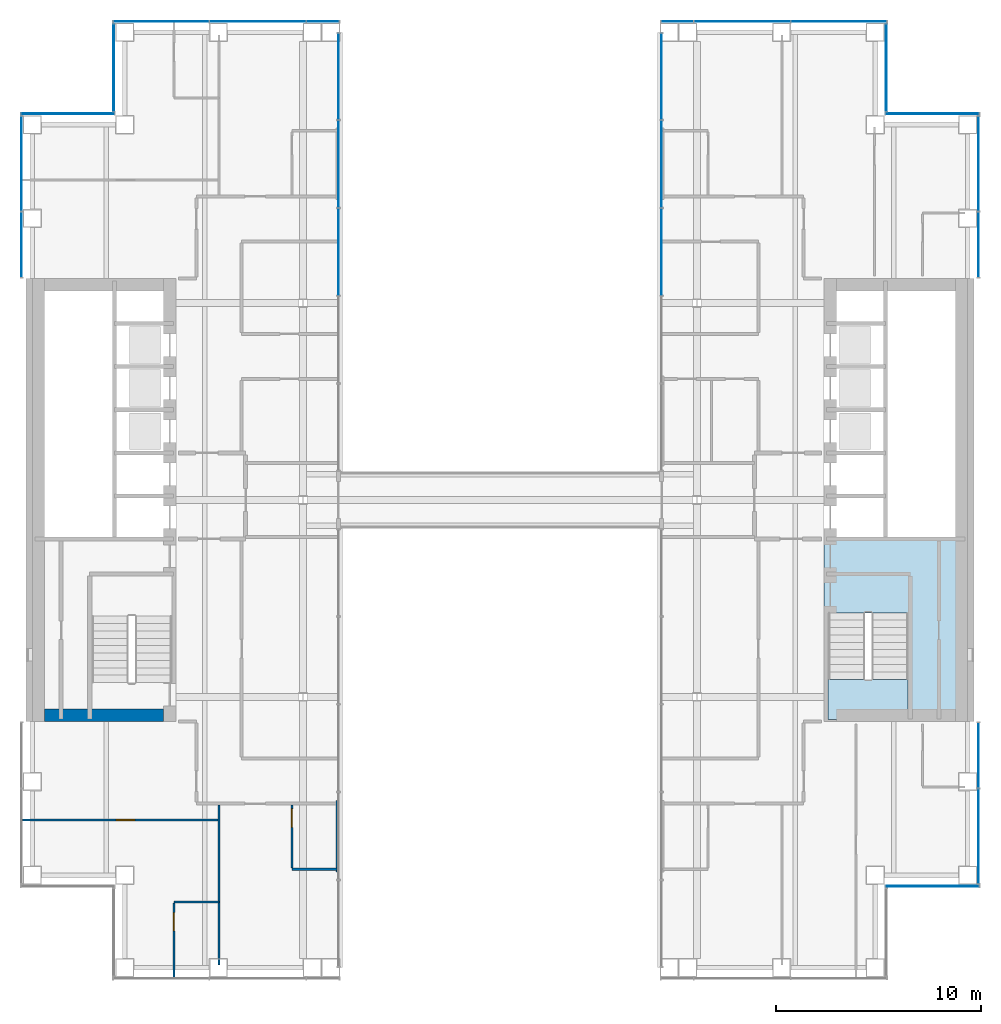
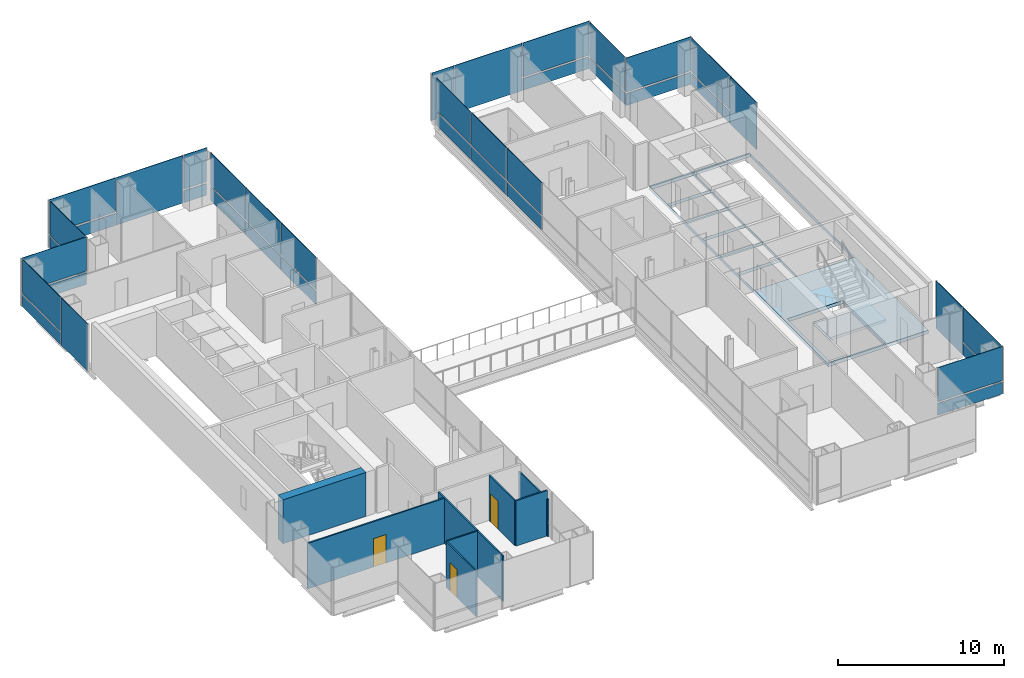
# One storey, part 10 of 16: 40 plates, 8 walls, 3 doors, 2 slabs, 3 openings, 13 elements without a shape of their own.
"""IFC4 building model written with IfcOpenShell, lengths in metres."""

from ifc_helpers import new_model, si_unit, direction, frame, frame_2d, origin, origin_2d, place, context, subcontext, project, spatial, polyline, rectangle, outline, extrude, material, layer, layer_set, type_object, element, fill, aggregate, save


model = new_model("IFC4")

# Units and contexts
model_context = context("Model", 3, precision=1e-05, world=origin(), true_north=direction((0.0, 1.0)))
body_context = subcontext(model_context, "Body", "Model", "MODEL_VIEW")
ifc_project = project(units=[si_unit("LENGTHUNIT", "METRE"), si_unit("AREAUNIT", "SQUARE_METRE"), si_unit("VOLUMEUNIT", "CUBIC_METRE"), si_unit("PLANEANGLEUNIT", "RADIAN"), si_unit("MASSUNIT", "GRAM", prefix="KILO")], contexts=[model_context])

# Site, building, storey
site_placement = place(None, origin())
site = spatial("IfcSite", under=ifc_project, at=site_placement, CompositionType="ELEMENT")
building_placement = place(site_placement, origin())
building = spatial("IfcBuilding", under=site, at=building_placement, Name="Cobrizo Arcos Hotel Tower", CompositionType="ELEMENT")
storey_placement = place(building_placement, frame((0.0, 0.0, 127.5)))
storey = spatial("IfcBuildingStorey", under=building, at=storey_placement, Name="L32", CompositionType="ELEMENT", Elevation=127.5)

# Curtain wall, plate
ifc_material_1 = material(Name="Aluminium 6063-T6 anodised bronze", Category="aluminium")
curtain_wall_type_1 = type_object("IfcCurtainWallType", Name="CW-A guest facade", PredefinedType="NOTDEFINED", material=ifc_material_1)
curtain_wall_1_placement = place(storey_placement, origin())
curtain_wall_1 = element("IfcCurtainWall", 1, at=curtain_wall_1_placement, inside=storey, type_object=curtain_wall_type_1, Name="CW-A L32 S face", PredefinedType="NOTDEFINED")
ifc_material_2 = material(Name="Glass clear laminated low-e", Category="glass")
ifc_layer_1 = layer(ifc_material_2, 0.0400390625)
ifc_layer_set_1 = layer_set([ifc_layer_1], Name="CW-A glass panel")
plate_type_1 = type_object("IfcPlateType", Name="CW-A glass panel", PredefinedType="CURTAIN_PANEL", material=ifc_layer_set_1)
plate_1_placement = place(storey_placement, frame((21.074951171875, -18.824951171875, 0.990234375), z_axis=(0.0, 0.0, 1.0), x_axis=(1.0, 0.0, 0.0)))
plate_1 = element("IfcPlate", 2, at=plate_1_placement, type_object=plate_type_1, Name="CW-A glass panel 1198", PredefinedType="CURTAIN_PANEL", context=body_context, shape_type="SweptSolid", body=[
    extrude(rectangle(XDim=4.530029296875, YDim=0.0400390625, at=origin_2d()), origin(), (0.0, 0.0, 1.0), 2.510009765625),
])

curtain_wall_2_placement = place(storey_placement, origin())
curtain_wall_2 = element("IfcCurtainWall", 3, at=curtain_wall_2_placement, inside=storey, type_object=curtain_wall_type_1, Name="CW-A L32 E face", PredefinedType="NOTDEFINED")
plate_2_placement = place(storey_placement, frame((23.324951171875, -16.391357421875, 0.990234375), z_axis=(0.0, 0.0, 1.0), x_axis=(0.0, 1.0, 0.0)))
plate_2 = element("IfcPlate", 4, at=plate_2_placement, type_object=plate_type_1, Name="CW-A glass panel 1199", PredefinedType="CURTAIN_PANEL", context=body_context, shape_type="SweptSolid", body=[
    extrude(rectangle(XDim=4.597412109375, YDim=0.0400390625, at=origin_2d()), origin(), (0.0, 0.0, 1.0), 2.510009765625),
])

curtain_wall_3_placement = place(storey_placement, origin())
curtain_wall_3 = element("IfcCurtainWall", 5, at=curtain_wall_3_placement, inside=storey, type_object=curtain_wall_type_1, Name="CW-A L32 E face", PredefinedType="NOTDEFINED")
plate_3_placement = place(storey_placement, frame((23.324951171875, 16.391357421875, 0.990234375), z_axis=(0.0, 0.0, 1.0), x_axis=(0.0, 1.0, 0.0)))
plate_3 = element("IfcPlate", 6, at=plate_3_placement, type_object=plate_type_1, Name="CW-A glass panel 1202", PredefinedType="CURTAIN_PANEL", context=body_context, shape_type="SweptSolid", body=[
    extrude(rectangle(XDim=4.597412109375, YDim=0.0400390625, at=origin_2d()), origin(), (0.0, 0.0, 1.0), 2.510009765625),
])

curtain_wall_4_placement = place(storey_placement, origin())
curtain_wall_4 = element("IfcCurtainWall", 7, at=curtain_wall_4_placement, inside=storey, type_object=curtain_wall_type_1, Name="CW-A L32 N face", PredefinedType="NOTDEFINED")
plate_4_placement = place(storey_placement, frame((21.074951171875, 18.824951171875, 0.990234375), z_axis=(0.0, 0.0, 1.0), x_axis=(-1.0, 0.0, 0.0)))
plate_4 = element("IfcPlate", 8, at=plate_4_placement, type_object=plate_type_1, Name="CW-A glass panel 1203", PredefinedType="CURTAIN_PANEL", context=body_context, shape_type="SweptSolid", body=[
    extrude(rectangle(XDim=4.530029296875, YDim=0.0400390625, at=origin_2d()), origin(), (0.0, 0.0, 1.0), 2.510009765625),
])

curtain_wall_5_placement = place(storey_placement, origin())
curtain_wall_5 = element("IfcCurtainWall", 9, at=curtain_wall_5_placement, inside=storey, type_object=curtain_wall_type_1, Name="CW-A L32 E face", PredefinedType="NOTDEFINED")
plate_5_placement = place(storey_placement, frame((18.824951171875, 21.074951171875, 0.990234375), z_axis=(0.0, 0.0, 1.0), x_axis=(0.0, 1.0, 0.0)))
plate_5 = element("IfcPlate", 10, at=plate_5_placement, type_object=plate_type_1, Name="CW-A glass panel 1204", PredefinedType="CURTAIN_PANEL", context=body_context, shape_type="SweptSolid", body=[
    extrude(rectangle(XDim=4.22998046875, YDim=0.0400390625, at=origin_2d()), origin(), (0.0, 0.0, 1.0), 2.510009765625),
])

curtain_wall_6_placement = place(storey_placement, origin())
curtain_wall_6 = element("IfcCurtainWall", 11, at=curtain_wall_6_placement, inside=storey, type_object=curtain_wall_type_1, Name="CW-A L32 N face", PredefinedType="NOTDEFINED")
plate_6_placement = place(storey_placement, frame((16.5224609375, 23.324951171875, 0.990234375), z_axis=(0.0, 0.0, 1.0), x_axis=(-1.0, 0.0, 0.0)))
plate_6 = element("IfcPlate", 12, at=plate_6_placement, type_object=plate_type_1, Name="CW-A glass panel 1205", PredefinedType="CURTAIN_PANEL", context=body_context, shape_type="SweptSolid", body=[
    extrude(rectangle(XDim=4.635009765625, YDim=0.0400390625, at=origin_2d()), origin(), (0.0, 0.0, 1.0), 2.510009765625),
])

# Curtain wall, plates
curtain_wall_7_placement = place(storey_placement, origin())
curtain_wall_7 = element("IfcCurtainWall", 13, at=curtain_wall_7_placement, inside=storey, type_object=curtain_wall_type_1, Name="CW-A L32 N face", PredefinedType="NOTDEFINED")
plate_7_placement = place(storey_placement, frame((-8.639892578125, 23.324951171875, 0.990234375), z_axis=(0.0, 0.0, 1.0), x_axis=(-1.0, 0.0, 0.0)))
plate_7 = element("IfcPlate", 14, at=plate_7_placement, type_object=plate_type_1, Name="CW-A glass panel 1208", PredefinedType="CURTAIN_PANEL", context=body_context, shape_type="SweptSolid", body=[
    extrude(rectangle(XDim=1.56005859375, YDim=0.0400390625, at=origin_2d()), origin(), (0.0, 0.0, 1.0), 2.510009765625),
])
plate_8_placement = place(storey_placement, frame((-16.5224609375, 23.324951171875, 0.990234375), z_axis=(0.0, 0.0, 1.0), x_axis=(-1.0, 0.0, 0.0)))
plate_8 = element("IfcPlate", 15, at=plate_8_placement, type_object=plate_type_1, Name="CW-A glass panel 1210", PredefinedType="CURTAIN_PANEL", context=body_context, shape_type="SweptSolid", body=[
    extrude(rectangle(XDim=4.635009765625, YDim=0.0400390625, at=origin_2d()), origin(), (0.0, 0.0, 1.0), 2.510009765625),
])

# Curtain wall, plate
curtain_wall_8_placement = place(storey_placement, origin())
curtain_wall_8 = element("IfcCurtainWall", 16, at=curtain_wall_8_placement, inside=storey, type_object=curtain_wall_type_1, Name="CW-A L32 W face", PredefinedType="NOTDEFINED")
plate_9_placement = place(storey_placement, frame((-18.824951171875, 21.074951171875, 0.990234375), z_axis=(0.0, 0.0, 1.0), x_axis=(0.0, -1.0, 0.0)))
plate_9 = element("IfcPlate", 17, at=plate_9_placement, type_object=plate_type_1, Name="CW-A glass panel 1211", PredefinedType="CURTAIN_PANEL", context=body_context, shape_type="SweptSolid", body=[
    extrude(rectangle(XDim=4.22998046875, YDim=0.0400390625, at=origin_2d()), origin(), (0.0, 0.0, 1.0), 2.510009765625),
])

curtain_wall_9_placement = place(storey_placement, origin())
curtain_wall_9 = element("IfcCurtainWall", 18, at=curtain_wall_9_placement, inside=storey, type_object=curtain_wall_type_1, Name="CW-A L32 N face", PredefinedType="NOTDEFINED")
plate_10_placement = place(storey_placement, frame((-21.074951171875, 18.824951171875, 0.990234375), z_axis=(0.0, 0.0, 1.0), x_axis=(-1.0, 0.0, 0.0)))
plate_10 = element("IfcPlate", 19, at=plate_10_placement, type_object=plate_type_1, Name="CW-A glass panel 1212", PredefinedType="CURTAIN_PANEL", context=body_context, shape_type="SweptSolid", body=[
    extrude(rectangle(XDim=4.530029296875, YDim=0.0400390625, at=origin_2d()), origin(), (0.0, 0.0, 1.0), 2.510009765625),
])

curtain_wall_10_placement = place(storey_placement, origin())
curtain_wall_10 = element("IfcCurtainWall", 20, at=curtain_wall_10_placement, inside=storey, type_object=curtain_wall_type_1, Name="CW-A L32 W face", PredefinedType="NOTDEFINED")
plate_11_placement = place(storey_placement, frame((-23.324951171875, 16.391357421875, 0.990234375), z_axis=(0.0, 0.0, 1.0), x_axis=(0.0, -1.0, 0.0)))
plate_11 = element("IfcPlate", 21, at=plate_11_placement, type_object=plate_type_1, Name="CW-A glass panel 1213", PredefinedType="CURTAIN_PANEL", context=body_context, shape_type="SweptSolid", body=[
    extrude(rectangle(XDim=4.597412109375, YDim=0.0400390625, at=origin_2d()), origin(), (0.0, 0.0, 1.0), 2.510009765625),
])

# Plate
ifc_material_3 = material(Name="Aluminium composite panel pale metal", Category="aluminium")
ifc_layer_2 = layer(ifc_material_3, 0.0400390625)
ifc_layer_set_2 = layer_set([ifc_layer_2], Name="CW-A spandrel panel")
plate_type_2 = type_object("IfcPlateType", Name="CW-A spandrel panel", PredefinedType="CURTAIN_PANEL", material=ifc_layer_set_2)
plate_12_placement = place(storey_placement, frame((21.074951171875, -18.824951171875, 0.0), z_axis=(0.0, 0.0, 1.0), x_axis=(1.0, 0.0, 0.0)))
plate_12 = element("IfcPlate", 22, at=plate_12_placement, type_object=plate_type_2, Name="CW-A spandrel panel 1198", PredefinedType="CURTAIN_PANEL", context=body_context, shape_type="SweptSolid", body=[
    extrude(rectangle(XDim=4.530029296875, YDim=0.0400390625, at=origin_2d()), origin(), (0.0, 0.0, 1.0), 0.8701171875),
])

aggregate(curtain_wall_1, [plate_12, plate_1])

plate_13_placement = place(storey_placement, frame((23.324951171875, -16.391357421875, 0.0), z_axis=(0.0, 0.0, 1.0), x_axis=(0.0, 1.0, 0.0)))
plate_13 = element("IfcPlate", 23, at=plate_13_placement, type_object=plate_type_2, Name="CW-A spandrel panel 1199", PredefinedType="CURTAIN_PANEL", context=body_context, shape_type="SweptSolid", body=[
    extrude(rectangle(XDim=4.597412109375, YDim=0.0400390625, at=origin_2d()), origin(), (0.0, 0.0, 1.0), 0.8701171875),
])

plate_14_placement = place(storey_placement, frame((23.324951171875, -12.4462890625, 0.0), z_axis=(0.0, 0.0, 1.0), x_axis=(0.0, 1.0, 0.0)))
plate_14 = element("IfcPlate", 24, at=plate_14_placement, type_object=plate_type_2, Name="CW-A spandrel panel 1200", PredefinedType="CURTAIN_PANEL", context=body_context, shape_type="SweptSolid", body=[
    extrude(rectangle(XDim=3.172607421875, YDim=0.0400390625, at=origin_2d()), origin(), (0.0, 0.0, 1.0), 3.5),
])

aggregate(curtain_wall_2, [plate_13, plate_2, plate_14])

plate_15_placement = place(storey_placement, frame((23.324951171875, 12.4462890625, 0.0), z_axis=(0.0, 0.0, 1.0), x_axis=(0.0, 1.0, 0.0)))
plate_15 = element("IfcPlate", 25, at=plate_15_placement, type_object=plate_type_2, Name="CW-A spandrel panel 1201", PredefinedType="CURTAIN_PANEL", context=body_context, shape_type="SweptSolid", body=[
    extrude(rectangle(XDim=3.172607421875, YDim=0.0400390625, at=origin_2d()), origin(), (0.0, 0.0, 1.0), 3.5),
])

plate_16_placement = place(storey_placement, frame((23.324951171875, 16.391357421875, 0.0), z_axis=(0.0, 0.0, 1.0), x_axis=(0.0, 1.0, 0.0)))
plate_16 = element("IfcPlate", 26, at=plate_16_placement, type_object=plate_type_2, Name="CW-A spandrel panel 1202", PredefinedType="CURTAIN_PANEL", context=body_context, shape_type="SweptSolid", body=[
    extrude(rectangle(XDim=4.597412109375, YDim=0.0400390625, at=origin_2d()), origin(), (0.0, 0.0, 1.0), 0.8701171875),
])

aggregate(curtain_wall_3, [plate_15, plate_16, plate_3])

plate_17_placement = place(storey_placement, frame((21.074951171875, 18.824951171875, 0.0), z_axis=(0.0, 0.0, 1.0), x_axis=(-1.0, 0.0, 0.0)))
plate_17 = element("IfcPlate", 27, at=plate_17_placement, type_object=plate_type_2, Name="CW-A spandrel panel 1203", PredefinedType="CURTAIN_PANEL", context=body_context, shape_type="SweptSolid", body=[
    extrude(rectangle(XDim=4.530029296875, YDim=0.0400390625, at=origin_2d()), origin(), (0.0, 0.0, 1.0), 0.8701171875),
])

aggregate(curtain_wall_4, [plate_17, plate_4])

plate_18_placement = place(storey_placement, frame((18.824951171875, 21.074951171875, 0.0), z_axis=(0.0, 0.0, 1.0), x_axis=(0.0, 1.0, 0.0)))
plate_18 = element("IfcPlate", 28, at=plate_18_placement, type_object=plate_type_2, Name="CW-A spandrel panel 1204", PredefinedType="CURTAIN_PANEL", context=body_context, shape_type="SweptSolid", body=[
    extrude(rectangle(XDim=4.22998046875, YDim=0.0400390625, at=origin_2d()), origin(), (0.0, 0.0, 1.0), 0.8701171875),
])

aggregate(curtain_wall_5, [plate_18, plate_5])

plate_19_placement = place(storey_placement, frame((16.5224609375, 23.324951171875, 0.0), z_axis=(0.0, 0.0, 1.0), x_axis=(-1.0, 0.0, 0.0)))
plate_19 = element("IfcPlate", 29, at=plate_19_placement, type_object=plate_type_2, Name="CW-A spandrel panel 1205", PredefinedType="CURTAIN_PANEL", context=body_context, shape_type="SweptSolid", body=[
    extrude(rectangle(XDim=4.635009765625, YDim=0.0400390625, at=origin_2d()), origin(), (0.0, 0.0, 1.0), 0.8701171875),
])

plate_20_placement = place(storey_placement, frame((11.8125, 23.324951171875, 0.0), z_axis=(0.0, 0.0, 1.0), x_axis=(-1.0, 0.0, 0.0)))
plate_20 = element("IfcPlate", 30, at=plate_20_placement, type_object=plate_type_2, Name="CW-A spandrel panel 1206", PredefinedType="CURTAIN_PANEL", context=body_context, shape_type="SweptSolid", body=[
    extrude(rectangle(XDim=4.6650390625, YDim=0.0400390625, at=origin_2d()), origin(), (0.0, 0.0, 1.0), 3.5),
])

plate_21_placement = place(storey_placement, frame((8.639892578125, 23.324951171875, 0.0), z_axis=(0.0, 0.0, 1.0), x_axis=(-1.0, 0.0, 0.0)))
plate_21 = element("IfcPlate", 31, at=plate_21_placement, type_object=plate_type_2, Name="CW-A spandrel panel 1207", PredefinedType="CURTAIN_PANEL", context=body_context, shape_type="SweptSolid", body=[
    extrude(rectangle(XDim=1.56005859375, YDim=0.0400390625, at=origin_2d()), origin(), (0.0, 0.0, 1.0), 3.5),
])

aggregate(curtain_wall_6, [plate_19, plate_6, plate_20, plate_21])

plate_22_placement = place(storey_placement, frame((-8.639892578125, 23.324951171875, 0.0), z_axis=(0.0, 0.0, 1.0), x_axis=(-1.0, 0.0, 0.0)))
plate_22 = element("IfcPlate", 32, at=plate_22_placement, type_object=plate_type_2, Name="CW-A spandrel panel 1208", PredefinedType="CURTAIN_PANEL", context=body_context, shape_type="SweptSolid", body=[
    extrude(rectangle(XDim=1.56005859375, YDim=0.0400390625, at=origin_2d()), origin(), (0.0, 0.0, 1.0), 0.8701171875),
])

plate_23_placement = place(storey_placement, frame((-11.8125, 23.324951171875, 0.0), z_axis=(0.0, 0.0, 1.0), x_axis=(-1.0, 0.0, 0.0)))
plate_23 = element("IfcPlate", 33, at=plate_23_placement, type_object=plate_type_2, Name="CW-A spandrel panel 1209", PredefinedType="CURTAIN_PANEL", context=body_context, shape_type="SweptSolid", body=[
    extrude(rectangle(XDim=4.6650390625, YDim=0.0400390625, at=origin_2d()), origin(), (0.0, 0.0, 1.0), 3.5),
])

plate_24_placement = place(storey_placement, frame((-16.5224609375, 23.324951171875, 0.0), z_axis=(0.0, 0.0, 1.0), x_axis=(-1.0, 0.0, 0.0)))
plate_24 = element("IfcPlate", 34, at=plate_24_placement, type_object=plate_type_2, Name="CW-A spandrel panel 1210", PredefinedType="CURTAIN_PANEL", context=body_context, shape_type="SweptSolid", body=[
    extrude(rectangle(XDim=4.635009765625, YDim=0.0400390625, at=origin_2d()), origin(), (0.0, 0.0, 1.0), 0.8701171875),
])

aggregate(curtain_wall_7, [plate_22, plate_7, plate_23, plate_24, plate_8])

plate_25_placement = place(storey_placement, frame((-18.824951171875, 21.074951171875, 0.0), z_axis=(0.0, 0.0, 1.0), x_axis=(0.0, -1.0, 0.0)))
plate_25 = element("IfcPlate", 35, at=plate_25_placement, type_object=plate_type_2, Name="CW-A spandrel panel 1211", PredefinedType="CURTAIN_PANEL", context=body_context, shape_type="SweptSolid", body=[
    extrude(rectangle(XDim=4.22998046875, YDim=0.0400390625, at=origin_2d()), origin(), (0.0, 0.0, 1.0), 0.8701171875),
])

aggregate(curtain_wall_8, [plate_25, plate_9])

plate_26_placement = place(storey_placement, frame((-21.074951171875, 18.824951171875, 0.0), z_axis=(0.0, 0.0, 1.0), x_axis=(-1.0, 0.0, 0.0)))
plate_26 = element("IfcPlate", 36, at=plate_26_placement, type_object=plate_type_2, Name="CW-A spandrel panel 1212", PredefinedType="CURTAIN_PANEL", context=body_context, shape_type="SweptSolid", body=[
    extrude(rectangle(XDim=4.530029296875, YDim=0.0400390625, at=origin_2d()), origin(), (0.0, 0.0, 1.0), 0.8701171875),
])

aggregate(curtain_wall_9, [plate_26, plate_10])

plate_27_placement = place(storey_placement, frame((-23.324951171875, 16.391357421875, 0.0), z_axis=(0.0, 0.0, 1.0), x_axis=(0.0, -1.0, 0.0)))
plate_27 = element("IfcPlate", 37, at=plate_27_placement, type_object=plate_type_2, Name="CW-A spandrel panel 1213", PredefinedType="CURTAIN_PANEL", context=body_context, shape_type="SweptSolid", body=[
    extrude(rectangle(XDim=4.597412109375, YDim=0.0400390625, at=origin_2d()), origin(), (0.0, 0.0, 1.0), 0.8701171875),
])

plate_28_placement = place(storey_placement, frame((-23.324951171875, 12.4462890625, 0.0), z_axis=(0.0, 0.0, 1.0), x_axis=(0.0, -1.0, 0.0)))
plate_28 = element("IfcPlate", 38, at=plate_28_placement, type_object=plate_type_2, Name="CW-A spandrel panel 1214", PredefinedType="CURTAIN_PANEL", context=body_context, shape_type="SweptSolid", body=[
    extrude(rectangle(XDim=3.172607421875, YDim=0.0400390625, at=origin_2d()), origin(), (0.0, 0.0, 1.0), 3.5),
])

aggregate(curtain_wall_10, [plate_27, plate_11, plate_28])

# Curtain wall, plates
curtain_wall_type_2 = type_object("IfcCurtainWallType", Name="CW-F void screen", PredefinedType="NOTDEFINED", material=ifc_material_1)
curtain_wall_11_placement = place(storey_placement, origin())
curtain_wall_11 = element("IfcCurtainWall", 39, at=curtain_wall_11_placement, inside=storey, type_object=curtain_wall_type_2, Name="CW-F L32 void screen B", PredefinedType="NOTDEFINED")
ifc_layer_3 = layer(ifc_material_2, 0.0400390625)
ifc_layer_set_3 = layer_set([ifc_layer_3], Name="CW-F glass panel")
plate_type_3 = type_object("IfcPlateType", Name="CW-F glass panel", PredefinedType="CURTAIN_PANEL", material=ifc_layer_set_3)
plate_29_placement = place(storey_placement, frame((7.875, 12.10009765625, 0.0), z_axis=(0.0, 0.0, 1.0), x_axis=(0.0, 1.0, 0.0)))
plate_29 = element("IfcPlate", 40, at=plate_29_placement, type_object=plate_type_3, Name="CW-F glass panel 2633", PredefinedType="CURTAIN_PANEL", context=body_context, shape_type="SweptSolid", body=[
    extrude(rectangle(XDim=4.219970703125, YDim=0.0400390625, at=origin_2d()), origin(), (0.0, 0.0, 1.0), 0.989990234375),
])
plate_30_placement = place(storey_placement, frame((7.875, 12.10009765625, 1.10986328125), z_axis=(0.0, 0.0, 1.0), x_axis=(0.0, 1.0, 0.0)))
plate_30 = element("IfcPlate", 41, at=plate_30_placement, type_object=plate_type_3, Name="CW-F glass panel 2633", PredefinedType="CURTAIN_PANEL", context=body_context, shape_type="SweptSolid", body=[
    extrude(rectangle(XDim=4.219970703125, YDim=0.0400390625, at=origin_2d()), origin(), (0.0, 0.0, 1.0), 2.389892578125),
])
plate_31_placement = place(storey_placement, frame((7.875, 16.3798828125, 0.0), z_axis=(0.0, 0.0, 1.0), x_axis=(0.0, 1.0, 0.0)))
plate_31 = element("IfcPlate", 42, at=plate_31_placement, type_object=plate_type_3, Name="CW-F glass panel 2634", PredefinedType="CURTAIN_PANEL", context=body_context, shape_type="SweptSolid", body=[
    extrude(rectangle(XDim=4.219970703125, YDim=0.0400390625, at=origin_2d()), origin(), (0.0, 0.0, 1.0), 0.989990234375),
])
plate_32_placement = place(storey_placement, frame((7.875, 16.3798828125, 1.10986328125), z_axis=(0.0, 0.0, 1.0), x_axis=(0.0, 1.0, 0.0)))
plate_32 = element("IfcPlate", 43, at=plate_32_placement, type_object=plate_type_3, Name="CW-F glass panel 2634", PredefinedType="CURTAIN_PANEL", context=body_context, shape_type="SweptSolid", body=[
    extrude(rectangle(XDim=4.219970703125, YDim=0.0400390625, at=origin_2d()), origin(), (0.0, 0.0, 1.0), 2.389892578125),
])
plate_33_placement = place(storey_placement, frame((7.875, 20.64501953125, 0.0), z_axis=(0.0, 0.0, 1.0), x_axis=(0.0, 1.0, 0.0)))
plate_33 = element("IfcPlate", 44, at=plate_33_placement, type_object=plate_type_3, Name="CW-F glass panel 2635", PredefinedType="CURTAIN_PANEL", context=body_context, shape_type="SweptSolid", body=[
    extrude(rectangle(XDim=4.18994140625, YDim=0.0400390625, at=origin_2d()), origin(), (0.0, 0.0, 1.0), 0.989990234375),
])
plate_34_placement = place(storey_placement, frame((7.875, 20.64501953125, 1.10986328125), z_axis=(0.0, 0.0, 1.0), x_axis=(0.0, 1.0, 0.0)))
plate_34 = element("IfcPlate", 45, at=plate_34_placement, type_object=plate_type_3, Name="CW-F glass panel 2635", PredefinedType="CURTAIN_PANEL", context=body_context, shape_type="SweptSolid", body=[
    extrude(rectangle(XDim=4.18994140625, YDim=0.0400390625, at=origin_2d()), origin(), (0.0, 0.0, 1.0), 2.389892578125),
])
aggregate(curtain_wall_11, [plate_29, plate_30, plate_31, plate_32, plate_33, plate_34])

curtain_wall_12_placement = place(storey_placement, origin())
curtain_wall_12 = element("IfcCurtainWall", 46, at=curtain_wall_12_placement, inside=storey, type_object=curtain_wall_type_2, Name="CW-F L32 void screen B", PredefinedType="NOTDEFINED")
plate_35_placement = place(storey_placement, frame((-7.875, 20.64501953125, 0.0), z_axis=(0.0, 0.0, 1.0), x_axis=(0.0, -1.0, 0.0)))
plate_35 = element("IfcPlate", 47, at=plate_35_placement, type_object=plate_type_3, Name="CW-F glass panel 2636", PredefinedType="CURTAIN_PANEL", context=body_context, shape_type="SweptSolid", body=[
    extrude(rectangle(XDim=4.18994140625, YDim=0.0400390625, at=origin_2d()), origin(), (0.0, 0.0, 1.0), 0.989990234375),
])
plate_36_placement = place(storey_placement, frame((-7.875, 20.64501953125, 1.10986328125), z_axis=(0.0, 0.0, 1.0), x_axis=(0.0, -1.0, 0.0)))
plate_36 = element("IfcPlate", 48, at=plate_36_placement, type_object=plate_type_3, Name="CW-F glass panel 2636", PredefinedType="CURTAIN_PANEL", context=body_context, shape_type="SweptSolid", body=[
    extrude(rectangle(XDim=4.18994140625, YDim=0.0400390625, at=origin_2d()), origin(), (0.0, 0.0, 1.0), 2.389892578125),
])
plate_37_placement = place(storey_placement, frame((-7.875, 16.3798828125, 0.0), z_axis=(0.0, 0.0, 1.0), x_axis=(0.0, -1.0, 0.0)))
plate_37 = element("IfcPlate", 49, at=plate_37_placement, type_object=plate_type_3, Name="CW-F glass panel 2637", PredefinedType="CURTAIN_PANEL", context=body_context, shape_type="SweptSolid", body=[
    extrude(rectangle(XDim=4.219970703125, YDim=0.0400390625, at=origin_2d()), origin(), (0.0, 0.0, 1.0), 0.989990234375),
])
plate_38_placement = place(storey_placement, frame((-7.875, 16.3798828125, 1.10986328125), z_axis=(0.0, 0.0, 1.0), x_axis=(0.0, -1.0, 0.0)))
plate_38 = element("IfcPlate", 50, at=plate_38_placement, type_object=plate_type_3, Name="CW-F glass panel 2637", PredefinedType="CURTAIN_PANEL", context=body_context, shape_type="SweptSolid", body=[
    extrude(rectangle(XDim=4.219970703125, YDim=0.0400390625, at=origin_2d()), origin(), (0.0, 0.0, 1.0), 2.389892578125),
])
plate_39_placement = place(storey_placement, frame((-7.875, 12.10009765625, 0.0), z_axis=(0.0, 0.0, 1.0), x_axis=(0.0, -1.0, 0.0)))
plate_39 = element("IfcPlate", 51, at=plate_39_placement, type_object=plate_type_3, Name="CW-F glass panel 2638", PredefinedType="CURTAIN_PANEL", context=body_context, shape_type="SweptSolid", body=[
    extrude(rectangle(XDim=4.219970703125, YDim=0.0400390625, at=origin_2d()), origin(), (0.0, 0.0, 1.0), 0.989990234375),
])
plate_40_placement = place(storey_placement, frame((-7.875, 12.10009765625, 1.10986328125), z_axis=(0.0, 0.0, 1.0), x_axis=(0.0, -1.0, 0.0)))
plate_40 = element("IfcPlate", 52, at=plate_40_placement, type_object=plate_type_3, Name="CW-F glass panel 2638", PredefinedType="CURTAIN_PANEL", context=body_context, shape_type="SweptSolid", body=[
    extrude(rectangle(XDim=4.219970703125, YDim=0.0400390625, at=origin_2d()), origin(), (0.0, 0.0, 1.0), 2.389892578125),
])
aggregate(curtain_wall_12, [plate_35, plate_36, plate_37, plate_38, plate_39, plate_40])

# Slab
ifc_material_4 = material(Name="Concrete f'c 50 MPa", Category="concrete")
ifc_layer_4 = layer(ifc_material_4, 0.25)
ifc_layer_set_4 = layer_set([ifc_layer_4], Name="RC core floor slab 250 f'c 50")
slab_type_1 = type_object("IfcSlabType", Name="RC core floor slab 250 f'c 50", PredefinedType="FLOOR", material=ifc_layer_set_4)
slab_1_placement = place(storey_placement, frame((0.0, 0.0, -0.25)))
element("IfcSlab", 53, at=slab_1_placement, inside=storey, type_object=slab_type_1, Name="Core floor slab CS5, east core, L32", PredefinedType="FLOOR", context=body_context, shape_type="SweptSolid", body=[
    extrude(outline(polyline([(15.800048828125, 10.800048828125), (22.800048828125, 10.800048828125), (22.800048828125, -10.800048828125), (15.800048828125, -10.800048828125), (15.800048828125, 10.800048828125)]), holes=[polyline([(19.89794921875, -10.697998046875), (19.89794921875, -5.501953125), (16.001953125, -5.501953125), (16.001953125, -10.697998046875), (19.89794921875, -10.697998046875)]), polyline([(15.802001953125, 0.197998046875), (15.802001953125, -1.89794921875), (18.798095703125, -1.89794921875), (18.798095703125, 0.197998046875), (15.802001953125, 0.197998046875)]), polyline([(18.798095703125, 2.298095703125), (15.802001953125, 2.298095703125), (15.802001953125, 0.201904296875), (18.798095703125, 0.201904296875), (18.798095703125, 2.298095703125)]), polyline([(18.798095703125, 4.39794921875), (15.802001953125, 4.39794921875), (15.802001953125, 2.302001953125), (18.798095703125, 2.302001953125), (18.798095703125, 4.39794921875)]), polyline([(22.798095703125, 10.697998046875), (18.802001953125, 10.697998046875), (18.802001953125, -1.89794921875), (22.798095703125, -1.89794921875), (22.798095703125, 10.697998046875)]), polyline([(18.798095703125, 6.498046875), (15.802001953125, 6.498046875), (15.802001953125, 4.402099609375), (18.798095703125, 4.402099609375), (18.798095703125, 6.498046875)]), polyline([(18.798095703125, 8.597900390625), (15.802001953125, 8.597900390625), (15.802001953125, 6.501953125), (18.798095703125, 6.501953125), (18.798095703125, 8.597900390625)]), polyline([(18.798095703125, 10.697998046875), (15.802001953125, 10.697998046875), (15.802001953125, 8.60205078125), (18.798095703125, 8.60205078125), (18.798095703125, 10.697998046875)])]), origin(), (0.0, 0.0, 1.0), 0.25),
])

# Stair, slab
ifc_material_5 = material(Name="Concrete f'c 40 MPa", Category="concrete")
stair_type = type_object("IfcStairType", Name="Exit stair", PredefinedType="HALF_TURN_STAIR", material=ifc_material_5)
stair_placement = place(storey_placement, origin())
stair = element("IfcStair", 54, at=stair_placement, inside=storey, type_object=stair_type, Name="L32 Exit stair ST-E", PredefinedType="HALF_TURN_STAIR")
ifc_layer_5 = layer(ifc_material_5, 0.199951171875)
ifc_layer_set_5 = layer_set([ifc_layer_5], Name="Stair landing")
slab_type_2 = type_object("IfcSlabType", Name="Stair landing", PredefinedType="LANDING", material=ifc_layer_set_5)
slab_2_placement = place(storey_placement, frame((0.0, 0.0, 1.550048828125)))
slab_2 = element("IfcSlab", 55, at=slab_2_placement, type_object=slab_type_2, Name="ST-E landing 1", PredefinedType="LANDING", context=body_context, shape_type="SweptSolid", body=[
    extrude(outline(polyline([(16.0, -8.739990234375), (16.0, -10.699951171875), (19.89990234375, -10.699951171875), (19.89990234375, -8.739990234375), (16.0, -8.739990234375)])), origin(), (0.0, 0.0, 1.0), 0.199951171875),
])
aggregate(stair, [slab_2])

# Walls
ifc_material_6 = material(Name="Gypsum board partition")
ifc_layer_6 = layer(ifc_material_6, 0.10009765625)
ifc_layer_set_6 = layer_set([ifc_layer_6], Name="Partition EI 30 100")
wall_type_1 = type_object("IfcWallType", Name="Partition EI 30 100", PredefinedType="PARTITIONING", material=ifc_layer_set_6)
for number, where, z_axis, x_axis, name in (
    (56, (-15.89990234375, -19.60009765625, 0.0), (0.0, 0.0, 1.0), (1.0, 0.0, 0.0), "Partition 001"),
    (57, (-10.14990234375, -18.0, 0.0), (0.0, 0.0, 1.0), (1.0, 0.0, 0.0), "Partition 002"),
):
    element("IfcWall", number, at=place(storey_placement, frame(where, z_axis=z_axis, x_axis=x_axis)), inside=storey, type_object=wall_type_1, Name=name, PredefinedType="PARTITIONING", context=body_context, shape_type="SweptSolid", body=[
        extrude(rectangle(XDim=2.199951171875, YDim=0.10009765625, at=frame_2d((1.10009765625, 0.0))), origin(), (0.0, 0.0, 1.0), 3.35009765625),
    ])

# Wall, opening, door
wall_1_placement = place(storey_placement, frame((-23.280029296875, -15.60009765625, 0.0), z_axis=(0.0, 0.0, 1.0), x_axis=(1.0, 0.0, 0.0)))
wall_1 = element("IfcWall", 58, at=wall_1_placement, inside=storey, type_object=wall_type_1, Name="Partition 004", PredefinedType="PARTITIONING", context=body_context, shape_type="SweptSolid", body=[
    extrude(rectangle(XDim=9.580078125, YDim=0.10009765625, at=frame_2d((4.7900390625, 0.0))), origin(), (0.0, 0.0, 1.0), 3.35009765625),
])
opening_1_placement = place(wall_1_placement, frame((4.568115234375, 0.0, 0.0)))
opening_1 = element("IfcOpeningElement", 59, at=opening_1_placement, cuts=wall_1, Name="Opening RD-02", PredefinedType="OPENING", context=body_context, shape_type="SweptSolid", body=[
    extrude(rectangle(XDim=0.89990234375, YDim=2.10009765625, at=frame_2d((0.449951171875, 1.050048828125))), frame((0.0, 0.06201171875, 0.0), z_axis=(0.0, -1.0, 0.0), x_axis=(1.0, 0.0, 0.0)), (0.0, 0.0, 1.0), 0.1240234375),
])
ifc_material_7 = material(Name="Timber door leaf", Category="wood")
door_type_1 = type_object("IfcDoorType", Name="Room door FD30 900x2100", OperationType="SINGLE_SWING_LEFT", PredefinedType="DOOR", material=ifc_material_7)
door_1_placement = place(opening_1_placement, origin())
door_1 = element("IfcDoor", 60, at=door_1_placement, inside=storey, type_object=door_type_1, Name="Door RD-02", OperationType="SINGLE_SWING_RIGHT", OverallHeight=2.10009765625, OverallWidth=0.89990234375, PredefinedType="DOOR", context=body_context, shape_type="SweptSolid", body=[
    extrude(rectangle(XDim=0.89990234375, YDim=2.10009765625, at=frame_2d((0.449951171875, 1.050048828125))), frame((0.0, 0.02490234375, 0.0), z_axis=(0.0, -1.0, 0.0), x_axis=(1.0, 0.0, 0.0)), (0.0, 0.0, 1.0), 0.050048828125),
])
fill(opening_1, door_1)

wall_2_placement = place(storey_placement, frame((-15.89990234375, -23.280029296875, 0.0), z_axis=(0.0, 0.0, 1.0), x_axis=(0.0, 1.0, 0.0)))
wall_2 = element("IfcWall", 61, at=wall_2_placement, inside=storey, type_object=wall_type_1, Name="Partition 052", PredefinedType="PARTITIONING", context=body_context, shape_type="SweptSolid", body=[
    extrude(rectangle(XDim=3.630126953125, YDim=0.10009765625, at=frame_2d((1.81494140625, 0.0))), origin(), (0.0, 0.0, 1.0), 3.35009765625),
])
opening_2_placement = place(wall_2_placement, frame((2.27001953125, 0.0, 0.0)))
opening_2 = element("IfcOpeningElement", 62, at=opening_2_placement, cuts=wall_2, Name="Opening ED-06", PredefinedType="OPENING", context=body_context, shape_type="SweptSolid", body=[
    extrude(rectangle(XDim=0.89990234375, YDim=2.10009765625, at=frame_2d((0.449951171875, 1.050048828125))), frame((0.0, 0.06201171875, 0.0), z_axis=(0.0, -1.0, 0.0), x_axis=(1.0, 0.0, 0.0)), (0.0, 0.0, 1.0), 0.1240234375),
])
door_type_2 = type_object("IfcDoorType", Name="En-suite door 900x2100", OperationType="SINGLE_SWING_LEFT", PredefinedType="DOOR", material=ifc_material_7)
door_2_placement = place(opening_2_placement, origin())
door_2 = element("IfcDoor", 63, at=door_2_placement, inside=storey, type_object=door_type_2, Name="Door ED-06", OperationType="SINGLE_SWING_RIGHT", OverallHeight=2.10009765625, OverallWidth=0.89990234375, PredefinedType="DOOR", context=body_context, shape_type="SweptSolid", body=[
    extrude(rectangle(XDim=0.89990234375, YDim=2.10009765625, at=frame_2d((0.449951171875, 1.050048828125))), frame((0.0, 0.02490234375, 0.0), z_axis=(0.0, -1.0, 0.0), x_axis=(1.0, 0.0, 0.0)), (0.0, 0.0, 1.0), 0.050048828125),
])
fill(opening_2, door_2)

# Wall
wall_3_placement = place(storey_placement, frame((-13.699951171875, -22.679931640625, 0.0), z_axis=(0.0, 0.0, 1.0), x_axis=(0.0, 1.0, 0.0)))
element("IfcWall", 64, at=wall_3_placement, inside=storey, type_object=wall_type_1, Name="Partition 056", PredefinedType="PARTITIONING", context=body_context, shape_type="SweptSolid", body=[
    extrude(rectangle(XDim=7.804931640625, YDim=0.10009765625, at=frame_2d((3.90234375, 0.0))), origin(), (0.0, 0.0, 1.0), 3.35009765625),
])

# Wall, opening, door
wall_4_placement = place(storey_placement, frame((-10.14990234375, -17.949951171875, 0.0), z_axis=(0.0, 0.0, 1.0), x_axis=(0.0, 1.0, 0.0)))
wall_4 = element("IfcWall", 65, at=wall_4_placement, inside=storey, type_object=wall_type_1, Name="Partition 062", PredefinedType="PARTITIONING", context=body_context, shape_type="SweptSolid", body=[
    extrude(rectangle(XDim=3.074951171875, YDim=0.10009765625, at=frame_2d((1.53759765625, 0.0))), origin(), (0.0, 0.0, 1.0), 3.35009765625),
])
opening_3_placement = place(wall_4_placement, frame((1.99609375, 0.0, 0.0)))
opening_3 = element("IfcOpeningElement", 66, at=opening_3_placement, cuts=wall_4, Name="Opening ED-05", PredefinedType="OPENING", context=body_context, shape_type="SweptSolid", body=[
    extrude(rectangle(XDim=0.89990234375, YDim=2.10009765625, at=frame_2d((0.449951171875, 1.050048828125))), frame((0.0, 0.06201171875, 0.0), z_axis=(0.0, -1.0, 0.0), x_axis=(1.0, 0.0, 0.0)), (0.0, 0.0, 1.0), 0.1240234375),
])
door_3_placement = place(opening_3_placement, origin())
door_3 = element("IfcDoor", 67, at=door_3_placement, inside=storey, type_object=door_type_2, Name="Door ED-05", OperationType="SINGLE_SWING_LEFT", OverallHeight=2.10009765625, OverallWidth=0.89990234375, PredefinedType="DOOR", context=body_context, shape_type="SweptSolid", body=[
    extrude(rectangle(XDim=0.89990234375, YDim=2.10009765625, at=frame_2d((0.449951171875, 1.050048828125))), frame((0.0, 0.02490234375, 0.0), z_axis=(0.0, -1.0, 0.0), x_axis=(1.0, 0.0, 0.0)), (0.0, 0.0, 1.0), 0.050048828125),
])
fill(opening_3, door_3)

# Walls
wall_5_placement = place(storey_placement, frame((-7.949951171875, -18.139892578125, 0.0), z_axis=(0.0, 0.0, 1.0), x_axis=(0.0, 1.0, 0.0)))
element("IfcWall", 68, at=wall_5_placement, inside=storey, type_object=wall_type_1, Name="Partition 064", PredefinedType="PARTITIONING", context=body_context, shape_type="SweptSolid", body=[
    extrude(rectangle(XDim=3.47998046875, YDim=0.10009765625, at=frame_2d((1.739990234375, 0.0))), origin(), (0.0, 0.0, 1.0), 2.73291015625),
])
ifc_layer_7 = layer(ifc_material_4, 0.60009765625)
ifc_layer_set_7 = layer_set([ifc_layer_7], Name="RC core wall 600 f'c 50")
wall_type_2 = type_object("IfcWallType", Name="RC core wall 600 f'c 50", PredefinedType="SHEAR", material=ifc_layer_set_7)
wall_6_placement = place(storey_placement, frame((-22.199951171875, -10.5, 0.0), z_axis=(0.0, 0.0, 1.0), x_axis=(1.0, 0.0, 0.0)))
element("IfcWall", 69, at=wall_6_placement, inside=storey, type_object=wall_type_2, Name="Core wall CW2, west core, south end, L32", PredefinedType="SHEAR", context=body_context, shape_type="SweptSolid", body=[
    extrude(rectangle(XDim=5.800048828125, YDim=0.60009765625, at=frame_2d((2.89990234375, 0.0))), origin(), (0.0, 0.0, 1.0), 3.25),
])

save(model, "model.ifc")
